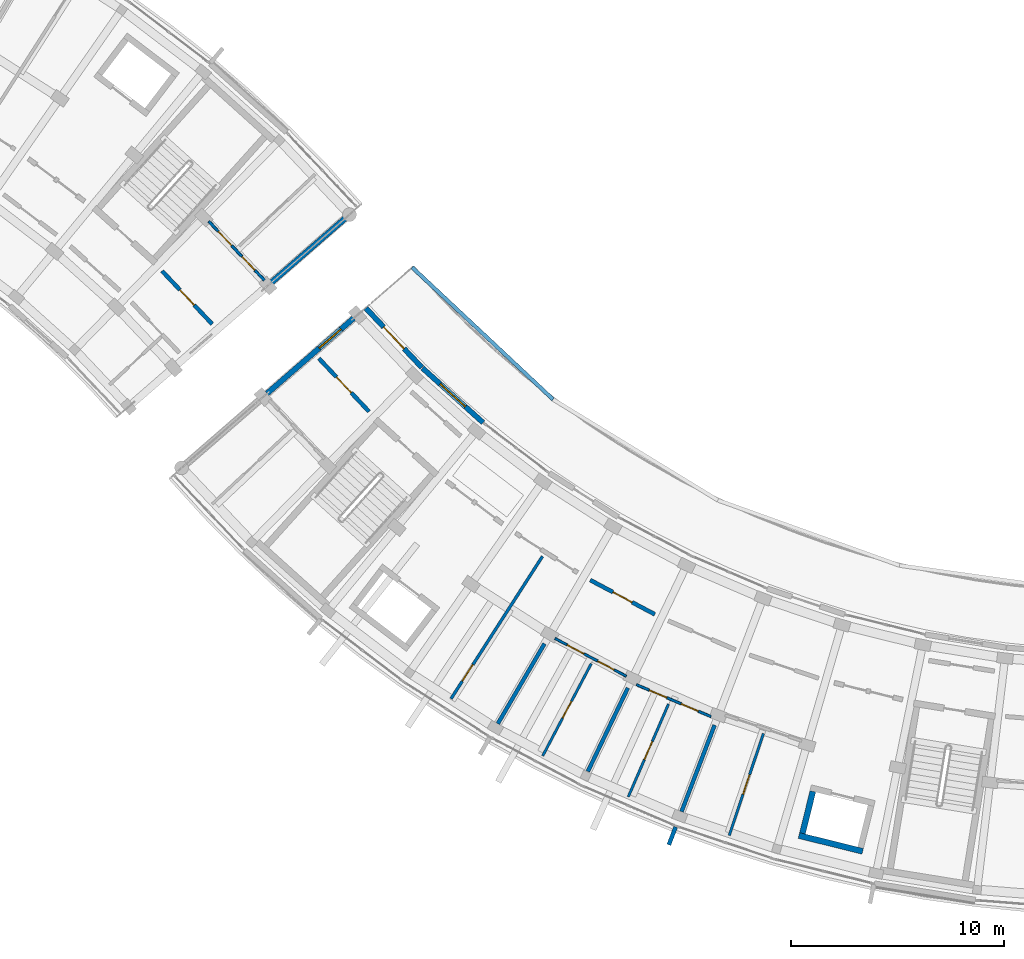
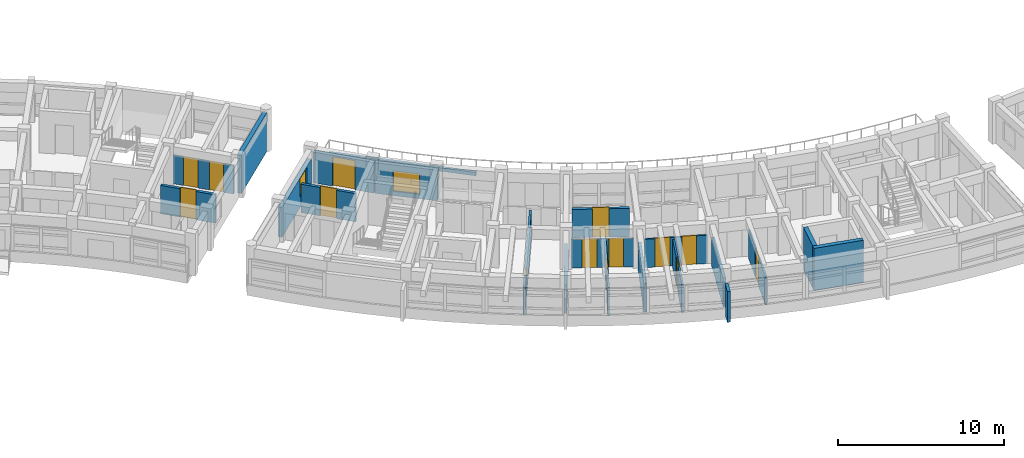
# One storey, part 33 of 54: 21 walls, 14 doors, 2 windows, 16 openings.
"""IFC4 building model written with IfcOpenShell, lengths in metres."""

from ifc_helpers import new_model, si_unit, direction, frame, frame_2d, origin, place, context, subcontext, project, spatial, rectangle, extrude, material, layer, layer_set, type_object, element, fill, save


model = new_model("IFC4")

# Units and contexts
model_context = context("Model", 3, precision=1e-05, world=origin(), true_north=direction((0.0, 1.0)))
body_context = subcontext(model_context, "Body", "Model", "MODEL_VIEW")
ifc_project = project(units=[si_unit("LENGTHUNIT", "METRE"), si_unit("AREAUNIT", "SQUARE_METRE"), si_unit("VOLUMEUNIT", "CUBIC_METRE"), si_unit("PLANEANGLEUNIT", "RADIAN"), si_unit("MASSUNIT", "GRAM", prefix="KILO")], contexts=[model_context])

# Site, building, storey
site_placement = place(None, origin())
site = spatial("IfcSite", under=ifc_project, at=site_placement, CompositionType="ELEMENT")
building_placement = place(site_placement, origin())
building = spatial("IfcBuilding", under=site, at=building_placement, Name="Zimvara Arc Housing Community", CompositionType="ELEMENT")
storey_placement = place(building_placement, frame((0.0, 0.0, 23.60009765625)))
storey = spatial("IfcBuildingStorey", under=building, at=storey_placement, Name="L07", CompositionType="ELEMENT", Elevation=23.60009765625)

# Wall, opening, window
ifc_material_1 = material(Name="Board-Marked Fair-Faced Concrete C35/45", Category="concrete")
ifc_layer_1 = layer(ifc_material_1, 0.2548828125)
ifc_layer_set_1 = layer_set([ifc_layer_1], Name="Board-Marked Fair-Faced Concrete C35/45")
wall_type_1 = type_object("IfcWallType", Name="EWL-CONC-255", PredefinedType="SOLIDWALL", material=ifc_layer_set_1)
wall_1_placement = place(storey_placement, frame((89.63330078125, 78.26416015625, 0.0), z_axis=(0.0, 0.0, 1.0), x_axis=(-0.754709658894, -0.65605893849, 0.0)))
wall_1 = element("IfcWall", 1, at=wall_1_placement, inside=storey, type_object=wall_type_1, Name="ewall:blkC:L07:g0", PredefinedType="SOLIDWALL", context=body_context, shape_type="SweptSolid", body=[
    extrude(rectangle(XDim=5.39990234375, YDim=0.2548828125, at=frame_2d((2.699951171875, 0.0))), origin(), (0.0, 0.0, 1.0), 2.179931640625),
])
opening_1_placement = place(wall_1_placement, frame((0.7900390625, 0.0, 0.75)))
opening_1 = element("IfcOpeningElement", 2, at=opening_1_placement, cuts=wall_1, Name="Opening W12", PredefinedType="OPENING", context=body_context, shape_type="SweptSolid", body=[
    extrude(rectangle(XDim=1.35009765625, YDim=1.35009765625, at=frame_2d((0.675048828125, 0.675048828125))), frame((0.0, 0.137451171875, 0.0), z_axis=(0.0, -1.0, 0.0), x_axis=(1.0, 0.0, 0.0)), (0.0, 0.0, 1.0), 0.27490234375),
])
ifc_material_2 = material(Name="Solar Control Low-E Double Glazing", Category="glass")
window_type_1 = type_object("IfcWindowType", Name="WIN-RES-1350x1350", PartitioningType="DOUBLE_PANEL_VERTICAL", PredefinedType="WINDOW", material=ifc_material_2)
window_1_placement = place(opening_1_placement, origin())
window_1 = element("IfcWindow", 3, at=window_1_placement, inside=storey, type_object=window_type_1, Name="win:blkC:L07:g0:w", OverallHeight=1.35009765625, OverallWidth=1.35009765625, PartitioningType="DOUBLE_PANEL_VERTICAL", PredefinedType="WINDOW", context=body_context, shape_type="SweptSolid", body=[
    extrude(rectangle(XDim=1.35009765625, YDim=1.35009765625, at=frame_2d((0.675048828125, 0.675048828125))), frame((0.0, 0.030029296875, 0.0), z_axis=(0.0, -1.0, 0.0), x_axis=(1.0, 0.0, 0.0)), (0.0, 0.0, 1.0), 0.06005859375),
])
fill(opening_1, window_1)

# Walls
ifc_material_3 = material(Name="Board-Marked Fair-Faced Concrete C35/45", Category="concrete")
ifc_layer_2 = layer(ifc_material_3, 0.179931640625)
ifc_layer_set_2 = layer_set([ifc_layer_2], Name="Board-Marked Fair-Faced Concrete C35/45")
wall_type_2 = type_object("IfcWallType", Name="EWL-PARA-180", PredefinedType="PARAPET", material=ifc_layer_set_2)
wall_2_placement = place(storey_placement, frame((92.38037109375, 80.65234375, 0.0), z_axis=(0.0, 0.0, 1.0), x_axis=(0.729564048979, -0.68391249326, 0.0)))
element("IfcWall", 4, at=wall_2_placement, inside=storey, type_object=wall_type_2, Name="parapet:blkC:L07:p0", PredefinedType="PARAPET", context=body_context, shape_type="SweptSolid", body=[
    extrude(rectangle(XDim=9.075439453125, YDim=0.179931640625, at=frame_2d((4.53759765625, 0.0))), origin(), (0.0, 0.0, 1.0), 0.25),
])
ifc_material_4 = material(Name="Board-Marked Fair-Faced Concrete C35/45", Category="concrete")
ifc_layer_3 = layer(ifc_material_4, 0.195068359375)
ifc_layer_set_3 = layer_set([ifc_layer_3], Name="Board-Marked Fair-Faced Concrete C35/45")
wall_type_3 = type_object("IfcWallType", Name="EWL-PARA-195", PredefinedType="PARAPET", material=ifc_layer_set_3)
wall_3_placement = place(storey_placement, frame((104.76318359375, 54.35693359375, 0.0), z_axis=(0.0, 0.0, 1.0), x_axis=(-0.357033038474, -0.934091756434, 0.0)))
element("IfcWall", 5, at=wall_3_placement, inside=storey, type_object=wall_type_3, Name="finwall:blkC:L07:out:b6", PredefinedType="PARAPET", context=body_context, shape_type="SweptSolid", body=[
    extrude(rectangle(XDim=0.89990234375, YDim=0.195068359375, at=frame_2d((0.449951171875, 0.0))), origin(), (0.0, 0.0, 1.0), 2.25),
])

# Wall, opening, door
ifc_material_5 = material(Name="Pigmented Fair-Faced Concrete C35/45", Category="concrete")
ifc_layer_4 = layer(ifc_material_5, 0.2451171875)
ifc_layer_set_4 = layer_set([ifc_layer_4], Name="Pigmented Fair-Faced Concrete C35/45")
wall_type_4 = type_object("IfcWallType", Name="EWL-PIGM-245", PredefinedType="SOLIDWALL", material=ifc_layer_set_4)
wall_4_placement = place(storey_placement, frame((90.205322265625, 78.735107421875, 0.0), z_axis=(0.0, 0.0, 1.0), x_axis=(0.686361600129, -0.727260444317, 0.0)))
wall_4 = element("IfcWall", 6, at=wall_4_placement, inside=storey, type_object=wall_type_4, Name="ewall:blkC:L07:in:b0", PredefinedType="SOLIDWALL", context=body_context, shape_type="SweptSolid", body=[
    extrude(rectangle(XDim=3.832275390625, YDim=0.2451171875, at=frame_2d((1.916015625, 0.0))), origin(), (0.0, 0.0, 1.0), 2.25),
])
opening_2_placement = place(wall_4_placement, frame((1.216064453125, 0.0, 0.0)))
opening_2 = element("IfcOpeningElement", 7, at=opening_2_placement, cuts=wall_4, Name="Opening ED07", PredefinedType="OPENING", context=body_context, shape_type="SweptSolid", body=[
    extrude(rectangle(XDim=1.39990234375, YDim=2.14990234375, at=frame_2d((0.699951171875, 1.074951171875))), frame((0.0, 0.132568359375, 0.0), z_axis=(0.0, -1.0, 0.0), x_axis=(1.0, 0.0, 0.0)), (0.0, 0.0, 1.0), 0.26513671875),
])
ifc_material_6 = material(Name="Anodised Aluminium AW-6063", Category="aluminium")
door_type_1 = type_object("IfcDoorType", Name="EDR-TERR-1400x2150", OperationType="DOUBLE_DOOR_SINGLE_SWING", PredefinedType="DOOR", material=ifc_material_6)
door_1_placement = place(opening_2_placement, origin())
door_1 = element("IfcDoor", 8, at=door_1_placement, inside=storey, type_object=door_type_1, Name="edoor:blkC:L07:terr:b0", OperationType="DOUBLE_DOOR_SINGLE_SWING", OverallHeight=2.14990234375, OverallWidth=1.39990234375, PredefinedType="DOOR", context=body_context, shape_type="SweptSolid", body=[
    extrude(rectangle(XDim=1.39990234375, YDim=2.14990234375, at=frame_2d((0.699951171875, 1.074951171875))), frame((0.0, 0.02490234375, 0.0), z_axis=(0.0, -1.0, 0.0), x_axis=(1.0, 0.0, 0.0)), (0.0, 0.0, 1.0), 0.050048828125),
])
fill(opening_2, door_1)

# Wall, opening, window
wall_5_placement = place(storey_placement, frame((92.8642578125, 75.919921875, 0.0), z_axis=(0.0, 0.0, 1.0), x_axis=(0.743363835609, -0.668887290886, 0.0)))
wall_5 = element("IfcWall", 9, at=wall_5_placement, inside=storey, type_object=wall_type_4, Name="ewall:blkC:L07:in:b1", PredefinedType="SOLIDWALL", context=body_context, shape_type="SweptSolid", body=[
    extrude(rectangle(XDim=3.83203125, YDim=0.2451171875, at=frame_2d((1.916015625, 0.0))), origin(), (0.0, 0.0, 1.0), 2.25),
])
opening_3_placement = place(wall_5_placement, frame((1.1162109375, 0.0, 0.320068359375)))
opening_3 = element("IfcOpeningElement", 10, at=opening_3_placement, cuts=wall_5, Name="Opening W03", PredefinedType="OPENING", context=body_context, shape_type="SweptSolid", body=[
    extrude(rectangle(XDim=1.60009765625, YDim=1.5, at=frame_2d((0.800048828125, 0.75))), frame((0.0, 0.132568359375, 0.0), z_axis=(0.0, -1.0, 0.0), x_axis=(1.0, 0.0, 0.0)), (0.0, 0.0, 1.0), 0.26513671875),
])
ifc_material_7 = material(Name="Solar Control Low-E Double Glazing", Category="glass")
window_type_2 = type_object("IfcWindowType", Name="WIN-RES-1600x1500", PartitioningType="DOUBLE_PANEL_VERTICAL", PredefinedType="WINDOW", material=ifc_material_7)
window_2_placement = place(opening_3_placement, origin())
window_2 = element("IfcWindow", 11, at=window_2_placement, inside=storey, type_object=window_type_2, Name="win:blkC:L07:in:b1", OverallHeight=1.5, OverallWidth=1.60009765625, PartitioningType="DOUBLE_PANEL_VERTICAL", PredefinedType="WINDOW", context=body_context, shape_type="SweptSolid", body=[
    extrude(rectangle(XDim=1.60009765625, YDim=1.5, at=frame_2d((0.800048828125, 0.75))), frame((0.0, 0.030029296875, 0.0), z_axis=(0.0, -1.0, 0.0), x_axis=(1.0, 0.0, 0.0)), (0.0, 0.0, 1.0), 0.06005859375),
])
fill(opening_3, window_2)

# Wall, opening, door
ifc_material_8 = material(Name="Concrete C35/45", Category="concrete")
ifc_layer_5 = layer(ifc_material_8, 0.18994140625)
ifc_layer_set_5 = layer_set([ifc_layer_5], Name="Concrete C35/45")
wall_type_5 = type_object("IfcWallType", Name="IWL-CORR-190", PredefinedType="SOLIDWALL", material=ifc_layer_set_5)
wall_6_placement = place(storey_placement, frame((80.627685546875, 80.48291015625, 0.0), z_axis=(0.0, 0.0, 1.0), x_axis=(0.686310507227, -0.727308660522, 0.0)))
wall_6 = element("IfcWall", 12, at=wall_6_placement, inside=storey, type_object=wall_type_5, Name="iwall:blkB:L07:corr_out:b9", PredefinedType="SOLIDWALL", context=body_context, shape_type="SweptSolid", body=[
    extrude(rectangle(XDim=3.43603515625, YDim=0.18994140625, at=frame_2d((1.718017578125, 0.0))), origin(), (0.0, 0.0, 1.0), 2.079833984375),
])
opening_4_placement = place(wall_6_placement, frame((1.22802734375, 0.0, 0.0)))
opening_4 = element("IfcOpeningElement", 13, at=opening_4_placement, cuts=wall_6, Name="Opening FD-FL1", PredefinedType="OPENING", context=body_context, shape_type="SweptSolid", body=[
    extrude(rectangle(XDim=0.97998046875, YDim=2.14990234375, at=frame_2d((0.489990234375, 1.074951171875))), frame((0.0, 0.10498046875, 0.0), z_axis=(0.0, -1.0, 0.0), x_axis=(1.0, 0.0, 0.0)), (0.0, 0.0, 1.0), 0.2099609375),
])
ifc_material_9 = material(Name="Mozambican Hardwood", Category="wood")
door_type_2 = type_object("IfcDoorType", Name="IDR-FLAT-0980x2150", OperationType="NOTDEFINED", PredefinedType="DOOR", material=ifc_material_9)
door_2_placement = place(opening_4_placement, origin())
door_2 = element("IfcDoor", 14, at=door_2_placement, inside=storey, type_object=door_type_2, Name="idoor:blkB:L07:flat:b9", OperationType="SINGLE_SWING_LEFT", OverallHeight=2.14990234375, OverallWidth=0.97998046875, PredefinedType="DOOR", context=body_context, shape_type="SweptSolid", body=[
    extrude(rectangle(XDim=0.97998046875, YDim=2.14990234375, at=frame_2d((0.489990234375, 1.074951171875))), frame((0.0, 0.02490234375, 0.0), z_axis=(0.0, -1.0, 0.0), x_axis=(1.0, 0.0, 0.0)), (0.0, 0.0, 1.0), 0.050048828125),
])
fill(opening_4, door_2)

wall_7_placement = place(storey_placement, frame((87.994140625, 76.3759765625, 0.0), z_axis=(0.0, 0.0, 1.0), x_axis=(0.686310507227, -0.727308660522, 0.0)))
wall_7 = element("IfcWall", 15, at=wall_7_placement, inside=storey, type_object=wall_type_5, Name="iwall:blkC:L07:corr_out:b0", PredefinedType="SOLIDWALL", context=body_context, shape_type="SweptSolid", body=[
    extrude(rectangle(XDim=3.43603515625, YDim=0.18994140625, at=frame_2d((1.718017578125, 0.0))), origin(), (0.0, 0.0, 1.0), 2.079833984375),
])
opening_5_placement = place(wall_7_placement, frame((1.2080078125, 0.0, 0.0)))
opening_5 = element("IfcOpeningElement", 16, at=opening_5_placement, cuts=wall_7, Name="Opening FD-FL2", PredefinedType="OPENING", context=body_context, shape_type="SweptSolid", body=[
    extrude(rectangle(XDim=1.02001953125, YDim=2.14990234375, at=frame_2d((0.510009765625, 1.074951171875))), frame((0.0, 0.10498046875, 0.0), z_axis=(0.0, -1.0, 0.0), x_axis=(1.0, 0.0, 0.0)), (0.0, 0.0, 1.0), 0.2099609375),
])
ifc_material_10 = material(Name="Mozambican Hardwood", Category="wood")
door_type_3 = type_object("IfcDoorType", Name="IDR-FLAT-1020x2150", OperationType="NOTDEFINED", PredefinedType="DOOR", material=ifc_material_10)
door_3_placement = place(opening_5_placement, origin())
door_3 = element("IfcDoor", 17, at=door_3_placement, inside=storey, type_object=door_type_3, Name="idoor:blkC:L07:flat:b0", OperationType="SINGLE_SWING_RIGHT", OverallHeight=2.14990234375, OverallWidth=1.02001953125, PredefinedType="DOOR", context=body_context, shape_type="SweptSolid", body=[
    extrude(rectangle(XDim=1.02001953125, YDim=2.14990234375, at=frame_2d((0.510009765625, 1.074951171875))), frame((0.0, 0.02490234375, 0.0), z_axis=(0.0, -1.0, 0.0), x_axis=(1.0, 0.0, 0.0)), (0.0, 0.0, 1.0), 0.050048828125),
])
fill(opening_5, door_3)

wall_8_placement = place(storey_placement, frame((100.750244140625, 65.9560546875, 0.0), z_axis=(0.0, 0.0, 1.0), x_axis=(0.883440266101, -0.468543803963, 0.0)))
wall_8 = element("IfcWall", 18, at=wall_8_placement, inside=storey, type_object=wall_type_5, Name="iwall:blkC:L07:corr_out:b4", PredefinedType="SOLIDWALL", context=body_context, shape_type="SweptSolid", body=[
    extrude(rectangle(XDim=3.435791015625, YDim=0.18994140625, at=frame_2d((1.7177734375, 0.0))), origin(), (0.0, 0.0, 1.0), 2.079833984375),
])
opening_6_placement = place(wall_8_placement, frame((1.2080078125, 0.0, 0.0)))
opening_6 = element("IfcOpeningElement", 19, at=opening_6_placement, cuts=wall_8, Name="Opening FD-FL2", PredefinedType="OPENING", context=body_context, shape_type="SweptSolid", body=[
    extrude(rectangle(XDim=1.02001953125, YDim=2.14990234375, at=frame_2d((0.510009765625, 1.074951171875))), frame((0.0, 0.10498046875, 0.0), z_axis=(0.0, -1.0, 0.0), x_axis=(1.0, 0.0, 0.0)), (0.0, 0.0, 1.0), 0.2099609375),
])
door_4_placement = place(opening_6_placement, origin())
door_4 = element("IfcDoor", 20, at=door_4_placement, inside=storey, type_object=door_type_3, Name="idoor:blkC:L07:flat:b4", OperationType="SINGLE_SWING_RIGHT", OverallHeight=2.14990234375, OverallWidth=1.02001953125, PredefinedType="DOOR", context=body_context, shape_type="SweptSolid", body=[
    extrude(rectangle(XDim=1.02001953125, YDim=2.14990234375, at=frame_2d((0.510009765625, 1.074951171875))), frame((0.0, 0.02490234375, 0.0), z_axis=(0.0, -1.0, 0.0), x_axis=(1.0, 0.0, 0.0)), (0.0, 0.0, 1.0), 0.050048828125),
])
fill(opening_6, door_4)

# Walls
ifc_material_11 = material(Name="Concrete C35/45", Category="concrete")
ifc_layer_6 = layer(ifc_material_11, 0.18505859375)
ifc_layer_set_6 = layer_set([ifc_layer_6], Name="Concrete C35/45")
wall_type_6 = type_object("IfcWallType", Name="IWL-FLAT-185", PredefinedType="SOLIDWALL", material=ifc_layer_set_6)
wall_9_placement = place(storey_placement, frame((98.6005859375, 62.968017578125, 0.0), z_axis=(0.0, 0.0, 1.0), x_axis=(-0.504216452091, -0.863577309475, 0.0)))
element("IfcWall", 21, at=wall_9_placement, inside=storey, type_object=wall_type_6, Name="iwall:blkC:L07:party:b4", PredefinedType="SOLIDWALL", context=body_context, shape_type="SweptSolid", body=[
    extrude(rectangle(XDim=4.35009765625, YDim=0.18505859375, at=frame_2d((2.175048828125, 0.0))), origin(), (0.0, 0.0, 1.0), 2.079833984375),
])
wall_10_placement = place(storey_placement, frame((102.517822265625, 60.890380859375, 0.0), z_axis=(0.0, 0.0, 1.0), x_axis=(-0.432108769108, -0.901821496561, 0.0)))
element("IfcWall", 22, at=wall_10_placement, inside=storey, type_object=wall_type_6, Name="iwall:blkC:L07:party:b5", PredefinedType="SOLIDWALL", context=body_context, shape_type="SweptSolid", body=[
    extrude(rectangle(XDim=4.349853515625, YDim=0.18505859375, at=frame_2d((2.1748046875, 0.0))), origin(), (0.0, 0.0, 1.0), 2.079833984375),
])
wall_11_placement = place(storey_placement, frame((106.59130859375, 59.139404296875, 0.0), z_axis=(0.0, 0.0, 1.0), x_axis=(-0.357064016205, -0.934079915388, 0.0)))
element("IfcWall", 23, at=wall_11_placement, inside=storey, type_object=wall_type_6, Name="iwall:blkC:L07:party:b6", PredefinedType="SOLIDWALL", context=body_context, shape_type="SweptSolid", body=[
    extrude(rectangle(XDim=4.35009765625, YDim=0.18505859375, at=frame_2d((2.175048828125, 0.0))), origin(), (0.0, 0.0, 1.0), 2.079833984375),
])

# Wall, openings, doors
ifc_material_12 = material(Name="Painted Acoustic Plasterboard")
ifc_layer_7 = layer(ifc_material_12, 0.110107421875)
ifc_layer_set_7 = layer_set([ifc_layer_7], Name="Painted Acoustic Plasterboard")
wall_type_7 = type_object("IfcWallType", Name="IWL-PART-110", PredefinedType="PARTITIONING", material=ifc_layer_set_7)
wall_12_placement = place(storey_placement, frame((99.092529296875, 63.216064453125, 0.0), z_axis=(0.0, 0.0, 1.0), x_axis=(0.883432667361, -0.468558131121, 0.0)))
wall_12 = element("IfcWall", 24, at=wall_12_placement, inside=storey, type_object=wall_type_7, Name="iwall:blkC:L07:srv:b4", PredefinedType="PARTITIONING", context=body_context, shape_type="SweptSolid", body=[
    extrude(rectangle(XDim=3.79736328125, YDim=0.110107421875, at=frame_2d((1.898681640625, 0.0))), origin(), (0.0, 0.0, 1.0), 2.079833984375),
])
opening_7_placement = place(wall_12_placement, frame((0.64990234375, 0.0, 0.0)))
opening_7 = element("IfcOpeningElement", 25, at=opening_7_placement, cuts=wall_12, Name="Opening D01", PredefinedType="OPENING", context=body_context, shape_type="SweptSolid", body=[
    extrude(rectangle(XDim=0.89990234375, YDim=2.10009765625, at=frame_2d((0.449951171875, 1.050048828125))), frame((0.0, 0.06494140625, 0.0), z_axis=(0.0, -1.0, 0.0), x_axis=(1.0, 0.0, 0.0)), (0.0, 0.0, 1.0), 0.130126953125),
])
opening_8_placement = place(wall_12_placement, frame((2.267333984375, 0.0, 0.0)))
opening_8 = element("IfcOpeningElement", 26, at=opening_8_placement, cuts=wall_12, Name="Opening D05", PredefinedType="OPENING", context=body_context, shape_type="SweptSolid", body=[
    extrude(rectangle(XDim=0.8798828125, YDim=2.10009765625, at=frame_2d((0.43994140625, 1.050048828125))), frame((0.0, 0.06494140625, 0.0), z_axis=(0.0, -1.0, 0.0), x_axis=(1.0, 0.0, 0.0)), (0.0, 0.0, 1.0), 0.130126953125),
])
ifc_material_13 = material(Name="Mozambican Hardwood", Category="wood")
door_type_4 = type_object("IfcDoorType", Name="IDR-RM-0900x2100", OperationType="NOTDEFINED", PredefinedType="DOOR", material=ifc_material_13)
door_5_placement = place(opening_7_placement, origin())
door_5 = element("IfcDoor", 27, at=door_5_placement, inside=storey, type_object=door_type_4, Name="idoor:blkC:L07:kit_liv:b4", OperationType="SINGLE_SWING_LEFT", OverallHeight=2.10009765625, OverallWidth=0.89990234375, PredefinedType="DOOR", context=body_context, shape_type="SweptSolid", body=[
    extrude(rectangle(XDim=0.89990234375, YDim=2.10009765625, at=frame_2d((0.449951171875, 1.050048828125))), frame((0.0, 0.02490234375, 0.0), z_axis=(0.0, -1.0, 0.0), x_axis=(1.0, 0.0, 0.0)), (0.0, 0.0, 1.0), 0.050048828125),
])
fill(opening_7, door_5)
ifc_material_14 = material(Name="Mozambican Hardwood", Category="wood")
door_type_5 = type_object("IfcDoorType", Name="IDR-WC-0880x2100", OperationType="NOTDEFINED", PredefinedType="DOOR", material=ifc_material_14)
door_6_placement = place(opening_8_placement, origin())
door_6 = element("IfcDoor", 28, at=door_6_placement, inside=storey, type_object=door_type_5, Name="idoor:blkC:L07:bath_d:b4", OperationType="SINGLE_SWING_RIGHT", OverallHeight=2.10009765625, OverallWidth=0.8798828125, PredefinedType="DOOR", context=body_context, shape_type="SweptSolid", body=[
    extrude(rectangle(XDim=0.8798828125, YDim=2.10009765625, at=frame_2d((0.43994140625, 1.050048828125))), frame((0.0, 0.02490234375, 0.0), z_axis=(0.0, -1.0, 0.0), x_axis=(1.0, 0.0, 0.0)), (0.0, 0.0, 1.0), 0.050048828125),
])
fill(opening_8, door_6)

ifc_material_15 = material(Name="Painted Acoustic Plasterboard")
ifc_layer_8 = layer(ifc_material_15, 0.114990234375)
ifc_layer_set_8 = layer_set([ifc_layer_8], Name="Painted Acoustic Plasterboard")
wall_type_8 = type_object("IfcWallType", Name="IWL-PART-115", PredefinedType="PARTITIONING", material=ifc_layer_set_8)
wall_13_placement = place(storey_placement, frame((102.923095703125, 61.04248046875, 0.0), z_axis=(0.0, 0.0, 1.0), x_axis=(0.918716859611, -0.394916867033, 0.0)))
wall_13 = element("IfcWall", 29, at=wall_13_placement, inside=storey, type_object=wall_type_8, Name="iwall:blkC:L07:srv:b5", PredefinedType="PARTITIONING", context=body_context, shape_type="SweptSolid", body=[
    extrude(rectangle(XDim=3.809326171875, YDim=0.114990234375, at=frame_2d((1.90478515625, 0.0))), origin(), (0.0, 0.0, 1.0), 2.079833984375),
])
opening_9_placement = place(wall_13_placement, frame((0.64990234375, 0.0, 0.0)))
opening_9 = element("IfcOpeningElement", 30, at=opening_9_placement, cuts=wall_13, Name="Opening D01", PredefinedType="OPENING", context=body_context, shape_type="SweptSolid", body=[
    extrude(rectangle(XDim=0.89990234375, YDim=2.10009765625, at=frame_2d((0.449951171875, 1.050048828125))), frame((0.0, 0.0673828125, 0.0), z_axis=(0.0, -1.0, 0.0), x_axis=(1.0, 0.0, 0.0)), (0.0, 0.0, 1.0), 0.135009765625),
])
opening_10_placement = place(wall_13_placement, frame((2.279541015625, 0.0, 0.0)))
opening_10 = element("IfcOpeningElement", 31, at=opening_10_placement, cuts=wall_13, Name="Opening D05", PredefinedType="OPENING", context=body_context, shape_type="SweptSolid", body=[
    extrude(rectangle(XDim=0.8798828125, YDim=2.10009765625, at=frame_2d((0.43994140625, 1.050048828125))), frame((0.0, 0.0673828125, 0.0), z_axis=(0.0, -1.0, 0.0), x_axis=(1.0, 0.0, 0.0)), (0.0, 0.0, 1.0), 0.135009765625),
])
door_7_placement = place(opening_9_placement, origin())
door_7 = element("IfcDoor", 32, at=door_7_placement, inside=storey, type_object=door_type_4, Name="idoor:blkC:L07:kit_liv:b5", OperationType="SINGLE_SWING_LEFT", OverallHeight=2.10009765625, OverallWidth=0.89990234375, PredefinedType="DOOR", context=body_context, shape_type="SweptSolid", body=[
    extrude(rectangle(XDim=0.89990234375, YDim=2.10009765625, at=frame_2d((0.449951171875, 1.050048828125))), frame((0.0, 0.02490234375, 0.0), z_axis=(0.0, -1.0, 0.0), x_axis=(1.0, 0.0, 0.0)), (0.0, 0.0, 1.0), 0.050048828125),
])
fill(opening_9, door_7)
door_8_placement = place(opening_10_placement, origin())
door_8 = element("IfcDoor", 33, at=door_8_placement, inside=storey, type_object=door_type_5, Name="idoor:blkC:L07:bath_d:b5", OperationType="SINGLE_SWING_RIGHT", OverallHeight=2.10009765625, OverallWidth=0.8798828125, PredefinedType="DOOR", context=body_context, shape_type="SweptSolid", body=[
    extrude(rectangle(XDim=0.8798828125, YDim=2.10009765625, at=frame_2d((0.43994140625, 1.050048828125))), frame((0.0, 0.02490234375, 0.0), z_axis=(0.0, -1.0, 0.0), x_axis=(1.0, 0.0, 0.0)), (0.0, 0.0, 1.0), 0.050048828125),
])
fill(opening_10, door_8)

# Wall, opening, door
ifc_material_16 = material(Name="Painted Acoustic Plasterboard")
ifc_layer_9 = layer(ifc_material_16, 0.1201171875)
ifc_layer_set_9 = layer_set([ifc_layer_9], Name="Painted Acoustic Plasterboard")
wall_type_9 = type_object("IfcWallType", Name="IWL-PART-120", PredefinedType="PARTITIONING", material=ifc_layer_set_9)
wall_14_placement = place(storey_placement, frame((100.799072265625, 62.033935546875, 0.0), z_axis=(0.0, 0.0, 1.0), x_axis=(-0.465869641373, -0.884853364828, 0.0)))
wall_14 = element("IfcWall", 34, at=wall_14_placement, inside=storey, type_object=wall_type_9, Name="iwall:blkC:L07:bed_div:b4", PredefinedType="PARTITIONING", context=body_context, shape_type="SweptSolid", body=[
    extrude(rectangle(XDim=4.89990234375, YDim=0.1201171875, at=frame_2d((2.449951171875, 0.0))), origin(), (0.0, 0.0, 1.0), 2.079833984375),
])
opening_11_placement = place(wall_14_placement, frame((2.0048828125, 0.0, 0.0)))
opening_11 = element("IfcOpeningElement", 35, at=opening_11_placement, cuts=wall_14, Name="Opening D12", PredefinedType="OPENING", context=body_context, shape_type="SweptSolid", body=[
    extrude(rectangle(XDim=0.889892578125, YDim=2.10009765625, at=frame_2d((0.44482421875, 1.050048828125))), frame((0.0, 0.070068359375, 0.0), z_axis=(0.0, -1.0, 0.0), x_axis=(1.0, 0.0, 0.0)), (0.0, 0.0, 1.0), 0.14013671875),
])
ifc_material_17 = material(Name="Mozambican Hardwood", Category="wood")
door_type_6 = type_object("IfcDoorType", Name="IDR-MOD-890x2140", OperationType="NOTDEFINED", PredefinedType="DOOR", material=ifc_material_17)
door_9_placement = place(opening_11_placement, origin())
door_9 = element("IfcDoor", 36, at=door_9_placement, inside=storey, type_object=door_type_6, Name="idoor:blkC:L07:bed_d:b4", OperationType="SINGLE_SWING_LEFT", OverallHeight=2.10009765625, OverallWidth=0.889892578125, PredefinedType="DOOR", context=body_context, shape_type="SweptSolid", body=[
    extrude(rectangle(XDim=0.889892578125, YDim=2.10009765625, at=frame_2d((0.44482421875, 1.050048828125))), frame((0.0, 0.02490234375, 0.0), z_axis=(0.0, -1.0, 0.0), x_axis=(1.0, 0.0, 0.0)), (0.0, 0.0, 1.0), 0.050048828125),
])
fill(opening_11, door_9)

wall_15_placement = place(storey_placement, frame((104.426025390625, 60.130126953125, 0.0), z_axis=(0.0, 0.0, 1.0), x_axis=(-0.39765647791, -0.917534372967, 0.0)))
wall_15 = element("IfcWall", 37, at=wall_15_placement, inside=storey, type_object=wall_type_9, Name="iwall:blkC:L07:bed_div:b5", PredefinedType="PARTITIONING", context=body_context, shape_type="SweptSolid", body=[
    extrude(rectangle(XDim=4.75, YDim=0.1201171875, at=frame_2d((2.375, 0.0))), origin(), (0.0, 0.0, 1.0), 2.079833984375),
])
opening_12_placement = place(wall_15_placement, frame((1.909912109375, 0.0, 0.0)))
opening_12 = element("IfcOpeningElement", 38, at=opening_12_placement, cuts=wall_15, Name="Opening D13", PredefinedType="OPENING", context=body_context, shape_type="SweptSolid", body=[
    extrude(rectangle(XDim=0.929931640625, YDim=2.10009765625, at=frame_2d((0.46484375, 1.050048828125))), frame((0.0, 0.070068359375, 0.0), z_axis=(0.0, -1.0, 0.0), x_axis=(1.0, 0.0, 0.0)), (0.0, 0.0, 1.0), 0.14013671875),
])
ifc_material_18 = material(Name="Mozambican Hardwood", Category="wood")
door_type_7 = type_object("IfcDoorType", Name="IDR-MOD-930x2180", OperationType="NOTDEFINED", PredefinedType="DOOR", material=ifc_material_18)
door_10_placement = place(opening_12_placement, origin())
door_10 = element("IfcDoor", 39, at=door_10_placement, inside=storey, type_object=door_type_7, Name="idoor:blkC:L07:bed_d:b5", OperationType="SINGLE_SWING_LEFT", OverallHeight=2.10009765625, OverallWidth=0.929931640625, PredefinedType="DOOR", context=body_context, shape_type="SweptSolid", body=[
    extrude(rectangle(XDim=0.929931640625, YDim=2.10009765625, at=frame_2d((0.46484375, 1.050048828125))), frame((0.0, 0.02490234375, 0.0), z_axis=(0.0, -1.0, 0.0), x_axis=(1.0, 0.0, 0.0)), (0.0, 0.0, 1.0), 0.050048828125),
])
fill(opening_12, door_10)

wall_16_placement = place(storey_placement, frame((108.883056640625, 58.743408203125, 0.0), z_axis=(0.0, 0.0, 1.0), x_axis=(-0.317199358555, -0.948358880874, 0.0)))
wall_16 = element("IfcWall", 40, at=wall_16_placement, inside=storey, type_object=wall_type_9, Name="iwall:blkC:L07:bed_div:b6", PredefinedType="PARTITIONING", context=body_context, shape_type="SweptSolid", body=[
    extrude(rectangle(XDim=5.0498046875, YDim=0.1201171875, at=frame_2d((2.52490234375, 0.0))), origin(), (0.0, 0.0, 1.0), 2.079833984375),
])
opening_13_placement = place(wall_16_placement, frame((2.0400390625, 0.0, 0.0)))
opening_13 = element("IfcOpeningElement", 41, at=opening_13_placement, cuts=wall_16, Name="Opening D14", PredefinedType="OPENING", context=body_context, shape_type="SweptSolid", body=[
    extrude(rectangle(XDim=0.969970703125, YDim=2.10009765625, at=frame_2d((0.48486328125, 1.050048828125))), frame((0.0, 0.070068359375, 0.0), z_axis=(0.0, -1.0, 0.0), x_axis=(1.0, 0.0, 0.0)), (0.0, 0.0, 1.0), 0.14013671875),
])
ifc_material_19 = material(Name="Mozambican Hardwood", Category="wood")
door_type_8 = type_object("IfcDoorType", Name="IDR-MOD-970x2080", OperationType="NOTDEFINED", PredefinedType="DOOR", material=ifc_material_19)
door_11_placement = place(opening_13_placement, origin())
door_11 = element("IfcDoor", 42, at=door_11_placement, inside=storey, type_object=door_type_8, Name="idoor:blkC:L07:bed_d:b6", OperationType="SINGLE_SWING_LEFT", OverallHeight=2.10009765625, OverallWidth=0.969970703125, PredefinedType="DOOR", context=body_context, shape_type="SweptSolid", body=[
    extrude(rectangle(XDim=0.969970703125, YDim=2.10009765625, at=frame_2d((0.48486328125, 1.050048828125))), frame((0.0, 0.02490234375, 0.0), z_axis=(0.0, -1.0, 0.0), x_axis=(1.0, 0.0, 0.0)), (0.0, 0.0, 1.0), 0.050048828125),
])
fill(opening_13, door_11)

# Wall, openings, doors
ifc_material_20 = material(Name="Painted Acoustic Plasterboard")
ifc_layer_10 = layer(ifc_material_20, 0.125)
ifc_layer_set_10 = layer_set([ifc_layer_10], Name="Painted Acoustic Plasterboard")
wall_type_10 = type_object("IfcWallType", Name="IWL-PART-125", PredefinedType="PARTITIONING", material=ifc_layer_set_10)
wall_17_placement = place(storey_placement, frame((82.8291015625, 82.808837890625, 0.0), z_axis=(0.0, 0.0, 1.0), x_axis=(0.686300649561, -0.727317962388, 0.0)))
wall_17 = element("IfcWall", 43, at=wall_17_placement, inside=storey, type_object=wall_type_10, Name="iwall:blkB:L07:srv:b9", PredefinedType="PARTITIONING", context=body_context, shape_type="SweptSolid", body=[
    extrude(rectangle(XDim=3.79736328125, YDim=0.125, at=frame_2d((1.898681640625, 0.0))), origin(), (0.0, 0.0, 1.0), 2.079833984375),
])
opening_14_placement = place(wall_17_placement, frame((0.64990234375, 0.0, 0.0)))
opening_14 = element("IfcOpeningElement", 44, at=opening_14_placement, cuts=wall_17, Name="Opening D01", PredefinedType="OPENING", context=body_context, shape_type="SweptSolid", body=[
    extrude(rectangle(XDim=0.89990234375, YDim=2.10009765625, at=frame_2d((0.449951171875, 1.050048828125))), frame((0.0, 0.072509765625, 0.0), z_axis=(0.0, -1.0, 0.0), x_axis=(1.0, 0.0, 0.0)), (0.0, 0.0, 1.0), 0.14501953125),
])
opening_15_placement = place(wall_17_placement, frame((2.267333984375, 0.0, 0.0)))
opening_15 = element("IfcOpeningElement", 45, at=opening_15_placement, cuts=wall_17, Name="Opening D05", PredefinedType="OPENING", context=body_context, shape_type="SweptSolid", body=[
    extrude(rectangle(XDim=0.8798828125, YDim=2.10009765625, at=frame_2d((0.43994140625, 1.050048828125))), frame((0.0, 0.072509765625, 0.0), z_axis=(0.0, -1.0, 0.0), x_axis=(1.0, 0.0, 0.0)), (0.0, 0.0, 1.0), 0.14501953125),
])
door_12_placement = place(opening_14_placement, origin())
door_12 = element("IfcDoor", 46, at=door_12_placement, inside=storey, type_object=door_type_4, Name="idoor:blkB:L07:kit_liv:b9", OperationType="SINGLE_SWING_RIGHT", OverallHeight=2.10009765625, OverallWidth=0.89990234375, PredefinedType="DOOR", context=body_context, shape_type="SweptSolid", body=[
    extrude(rectangle(XDim=0.89990234375, YDim=2.10009765625, at=frame_2d((0.449951171875, 1.050048828125))), frame((0.0, 0.02490234375, 0.0), z_axis=(0.0, -1.0, 0.0), x_axis=(1.0, 0.0, 0.0)), (0.0, 0.0, 1.0), 0.050048828125),
])
fill(opening_14, door_12)
door_13_placement = place(opening_15_placement, origin())
door_13 = element("IfcDoor", 47, at=door_13_placement, inside=storey, type_object=door_type_5, Name="idoor:blkB:L07:bath_d:b9", OperationType="SINGLE_SWING_LEFT", OverallHeight=2.10009765625, OverallWidth=0.8798828125, PredefinedType="DOOR", context=body_context, shape_type="SweptSolid", body=[
    extrude(rectangle(XDim=0.8798828125, YDim=2.10009765625, at=frame_2d((0.43994140625, 1.050048828125))), frame((0.0, 0.02490234375, 0.0), z_axis=(0.0, -1.0, 0.0), x_axis=(1.0, 0.0, 0.0)), (0.0, 0.0, 1.0), 0.050048828125),
])
fill(opening_15, door_13)

# Wall, opening, door
ifc_material_21 = material(Name="Painted Acoustic Plasterboard")
ifc_layer_11 = layer(ifc_material_21, 0.139892578125)
ifc_layer_set_11 = layer_set([ifc_layer_11], Name="Painted Acoustic Plasterboard")
wall_type_11 = type_object("IfcWallType", Name="IWL-PART-140", PredefinedType="PARTITIONING", material=ifc_layer_set_11)
wall_18_placement = place(storey_placement, frame((98.50390625, 67.072265625, 0.0), z_axis=(0.0, 0.0, 1.0), x_axis=(-0.540338452216, -0.841447774408, 0.0)))
wall_18 = element("IfcWall", 48, at=wall_18_placement, inside=storey, type_object=wall_type_11, Name="iwall:blkC:L07:amen_div:b3", PredefinedType="PARTITIONING", context=body_context, shape_type="SweptSolid", body=[
    extrude(rectangle(XDim=7.949951171875, YDim=0.139892578125, at=frame_2d((3.97509765625, 0.0))), origin(), (0.0, 0.0, 1.0), 2.079833984375),
])
opening_16_placement = place(wall_18_placement, frame((6.050048828125, 0.0, 0.0)))
opening_16 = element("IfcOpeningElement", 49, at=opening_16_placement, cuts=wall_18, Name="Opening D02", PredefinedType="OPENING", context=body_context, shape_type="SweptSolid", body=[
    extrude(rectangle(XDim=0.919921875, YDim=2.10009765625, at=frame_2d((0.4599609375, 1.050048828125))), frame((0.0, 0.079833984375, 0.0), z_axis=(0.0, -1.0, 0.0), x_axis=(1.0, 0.0, 0.0)), (0.0, 0.0, 1.0), 0.159912109375),
])
ifc_material_22 = material(Name="Mozambican Hardwood", Category="wood")
door_type_9 = type_object("IfcDoorType", Name="IDR-RM-0920x2100", OperationType="NOTDEFINED", PredefinedType="DOOR", material=ifc_material_22)
door_14_placement = place(opening_16_placement, origin())
door_14 = element("IfcDoor", 50, at=door_14_placement, inside=storey, type_object=door_type_9, Name="idoor:blkC:L07:laund_d:b3", OperationType="SINGLE_SWING_LEFT", OverallHeight=2.10009765625, OverallWidth=0.919921875, PredefinedType="DOOR", context=body_context, shape_type="SweptSolid", body=[
    extrude(rectangle(XDim=0.919921875, YDim=2.10009765625, at=frame_2d((0.4599609375, 1.050048828125))), frame((0.0, 0.02490234375, 0.0), z_axis=(0.0, -1.0, 0.0), x_axis=(1.0, 0.0, 0.0)), (0.0, 0.0, 1.0), 0.050048828125),
])
fill(opening_16, door_14)

# Walls
ifc_material_23 = material(Name="Concrete C40/50", Category="concrete")
ifc_layer_12 = layer(ifc_material_23, 0.280029296875)
ifc_layer_set_12 = layer_set([ifc_layer_12], Name="Concrete C40/50")
wall_type_12 = type_object("IfcWallType", Name="WL-CORE-280", PredefinedType="SHEAR", material=ifc_layer_set_12)
wall_19_placement = place(storey_placement, frame((110.552978515625, 53.953857421875, 0.0), z_axis=(0.0, 0.0, 1.0), x_axis=(0.970725280816, -0.240192483614, 0.0)))
element("IfcWall", 51, at=wall_19_placement, inside=storey, type_object=wall_type_12, Name="lwall:LP-C2:L07:back", PredefinedType="SHEAR", context=body_context, shape_type="SweptSolid", body=[
    extrude(rectangle(XDim=3.090087890625, YDim=0.280029296875, at=frame_2d((1.544921875, 0.0))), origin(), (0.0, 0.0, 1.0), 3.099853515625),
])
wall_20_placement = place(storey_placement, frame((111.210205078125, 56.026611328125, 0.0), z_axis=(0.0, 0.0, 1.0), x_axis=(-0.240186044774, -0.970726873995, 0.0)))
element("IfcWall", 52, at=wall_20_placement, inside=storey, type_object=wall_type_12, Name="lwall:LP-C2:L07:left", PredefinedType="SHEAR", context=body_context, shape_type="SweptSolid", body=[
    extrude(rectangle(XDim=2.02978515625, YDim=0.280029296875, at=frame_2d((1.014892578125, 0.0))), origin(), (0.0, 0.0, 1.0), 3.099853515625),
])
ifc_material_24 = material(Name="Concrete C40/50", Category="concrete")
ifc_layer_13 = layer(ifc_material_24, 0.27001953125)
ifc_layer_set_13 = layer_set([ifc_layer_13], Name="Concrete C40/50")
wall_type_13 = type_object("IfcWallType", Name="WL-SHEAR-270", PredefinedType="SHEAR", material=ifc_layer_set_13)
wall_21_placement = place(storey_placement, frame((85.7392578125, 79.9140625, 0.0), z_axis=(0.0, 0.0, 1.0), x_axis=(0.754703505217, 0.65606601742, 0.0)))
element("IfcWall", 53, at=wall_21_placement, inside=storey, type_object=wall_type_13, Name="swall:blkB:L07:east", PredefinedType="SHEAR", context=body_context, shape_type="SweptSolid", body=[
    extrude(rectangle(XDim=4.719970703125, YDim=0.27001953125, at=frame_2d((2.35986328125, 0.0))), origin(), (0.0, 0.0, 1.0), 2.85986328125),
])

save(model, "model.ifc")
